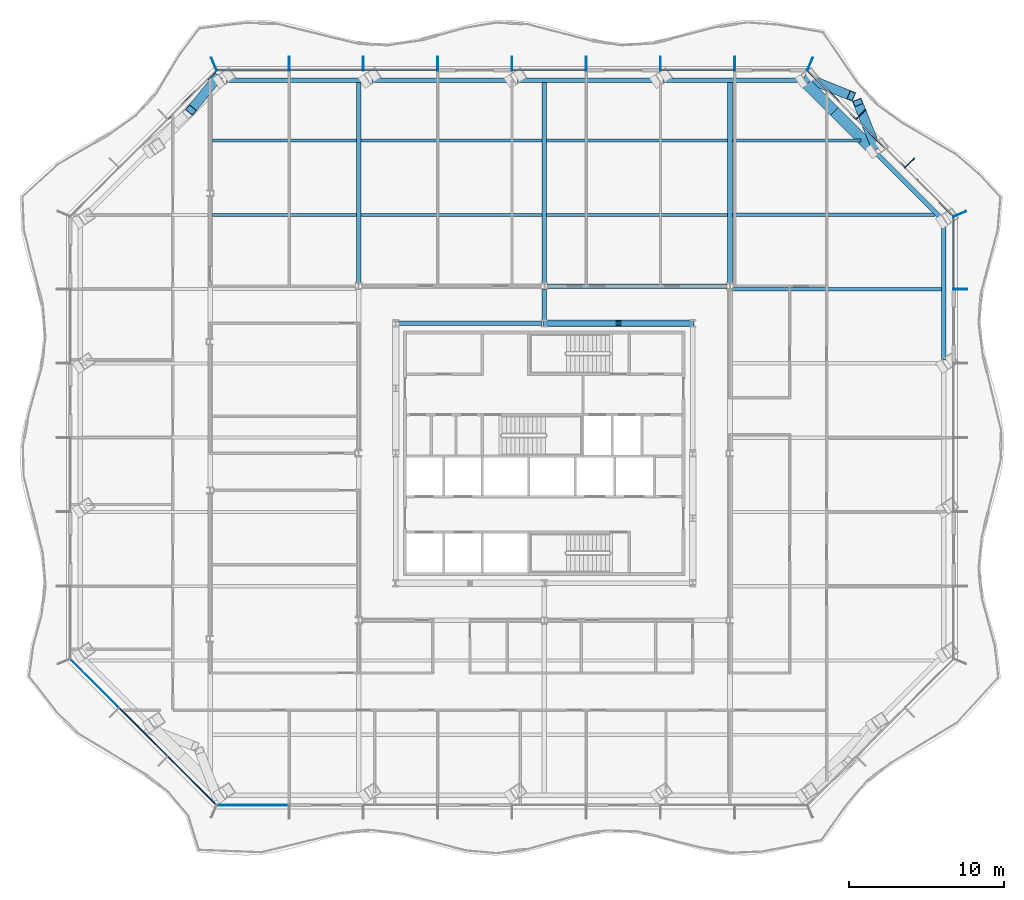
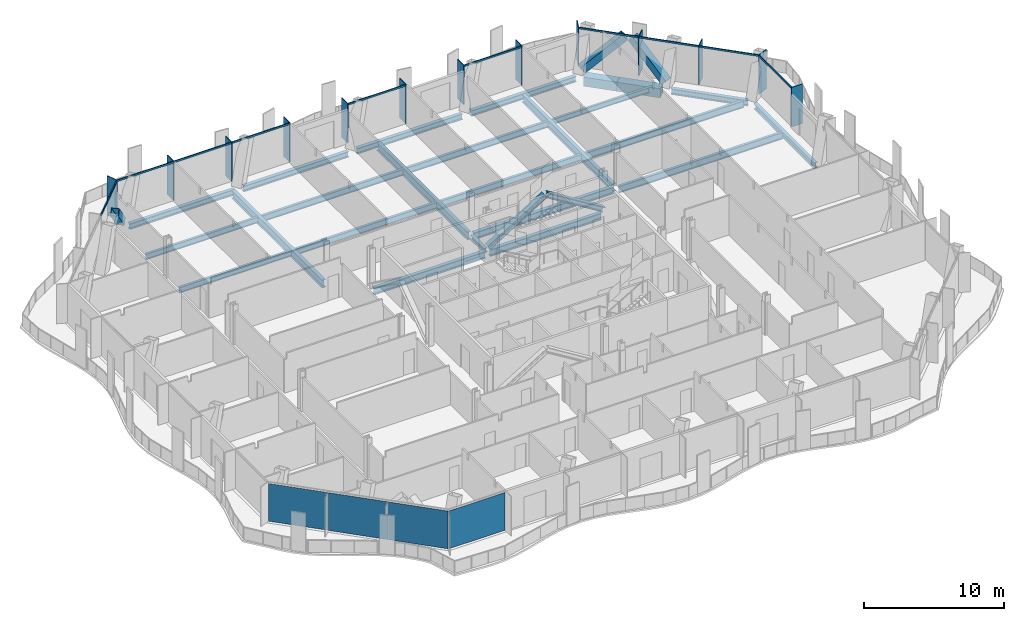
# One storey, part 5 of 22: 28 members, 24 beams, 4 plates, 6 elements without a shape of their own.
"""IFC4 building model written with IfcOpenShell, lengths in metres."""

from ifc_helpers import new_model, si_unit, direction, frame, origin, origin_2d, place, context, subcontext, project, spatial, rectangle, hollow_rectangle, i_section, extrude, material, layer, layer_set, material_profile, profile_set, type_object, element, aggregate, save


model = new_model("IFC4")

# Units and contexts
model_context = context("Model", 3, precision=1e-05, world=origin(), true_north=direction((0.0, 1.0)))
body_context = subcontext(model_context, "Body", "Model", "MODEL_VIEW")
ifc_project = project(units=[si_unit("LENGTHUNIT", "METRE"), si_unit("AREAUNIT", "SQUARE_METRE"), si_unit("VOLUMEUNIT", "CUBIC_METRE"), si_unit("PLANEANGLEUNIT", "RADIAN"), si_unit("MASSUNIT", "GRAM", prefix="KILO")], contexts=[model_context])

# Site, building, storey
site_placement = place(None, origin())
site = spatial("IfcSite", under=ifc_project, at=site_placement, CompositionType="ELEMENT")
building_placement = place(site_placement, origin())
building = spatial("IfcBuilding", under=site, at=building_placement, Name="Cairn Pilgrim Tower", CompositionType="ELEMENT")
storey_placement = place(building_placement, frame((0.0, 0.0, 105.0)))
storey = spatial("IfcBuildingStorey", under=building, at=storey_placement, Name="L25", CompositionType="ELEMENT", Elevation=105.0)

# Members
ifc_material_1 = material(Name="Structural steel S460M", Category="steel")
ifc_material_profile_1 = material_profile(ifc_material_1, hollow_rectangle(XDim=0.60009765625, YDim=0.60009765625, WallThickness=0.034912109375, at=origin_2d()), Name="BOX 600x600x35")
ifc_profile_set_1 = profile_set([ifc_material_profile_1], Name="Structural steel S460M")
member_type_1 = type_object("IfcMemberType", Name="BOX 600x600x35 BRACE", PredefinedType="BRACE", material=ifc_profile_set_1)
for number, where, z_axis, x_axis, name in (
    (1, (28.607421875, 22.21630859375, 0.14990234375), (-0.284086232129, 0.71042808338, 0.643884268374), (-0.928514994519, -0.371294902945, 0.0), "XB-NE2-N1-1"),
    (2, (24.18408203125, 26.639404296875, 0.14990234375), (0.71042808338, -0.284086232129, 0.643884268374), (0.371294902945, 0.928514994519, 0.0), "XB-NE2-N1-2"),
):
    element("IfcMember", number, at=place(storey_placement, frame(where, z_axis=z_axis, x_axis=x_axis)), inside=storey, type_object=member_type_1, Name=name, PredefinedType="BRACE", context=body_context, shape_type="SweptSolid", body=[
        extrude(hollow_rectangle(XDim=0.60009765625, YDim=0.60009765625, WallThickness=0.034912109375, at=origin_2d()), origin(), (0.0, 0.0, 1.0), 4.02099609375),
    ])
member_1_placement = place(storey_placement, frame((-13.958251953125, 26.639404296875, 0.14990234375), z_axis=(-0.450015797413, -0.551109145685, 0.702683777827), x_axis=(0.774571148388, -0.632486787281, 0.0)))
element("IfcMember", 3, at=member_1_placement, inside=storey, type_object=member_type_1, Name="XB-NW1-NW2-1", PredefinedType="BRACE", context=body_context, shape_type="SweptSolid", body=[
    extrude(hollow_rectangle(XDim=0.60009765625, YDim=0.60009765625, WallThickness=0.034912109375, at=origin_2d()), origin(), (0.0, 0.0, 1.0), 3.733642578125),
])

# Beams
ifc_material_2 = material(Name="Structural steel S355J2", Category="steel")
ifc_material_profile_2 = material_profile(ifc_material_2, hollow_rectangle(XDim=0.699951171875, YDim=0.800048828125, WallThickness=0.0400390625, at=origin_2d()), Name="BOX 700x800x40")
ifc_profile_set_2 = profile_set([ifc_material_profile_2], Name="Structural steel S355J2")
beam_type_1 = type_object("IfcBeamType", Name="BOX 700x800x40 RING GIRDER", PredefinedType="SPANDREL", material=ifc_profile_set_2)
beam_1_placement = place(storey_placement, frame((28.221923828125, 22.226806640625, -0.550048828125), z_axis=(-0.707068683787, 0.707144876533, 0.0), x_axis=(-0.707144876533, -0.707068683787, 0.0)))
element("IfcBeam", 4, at=beam_1_placement, inside=storey, type_object=beam_type_1, Name="RG1-NE2-N1-1", PredefinedType="SPANDREL", context=body_context, shape_type="SweptSolid", body=[
    extrude(hollow_rectangle(XDim=0.699951171875, YDim=0.800048828125, WallThickness=0.0400390625, at=origin_2d()), origin(), (0.0, 0.0, 1.0), 3.204345703125),
])
beam_2_placement = place(storey_placement, frame((25.956298828125, 24.49267578125, -0.550048828125), z_axis=(-0.707155778642, 0.707057780336, 0.0), x_axis=(-0.707057780336, -0.707155778642, 0.0)))
element("IfcBeam", 5, at=beam_2_placement, inside=storey, type_object=beam_type_1, Name="RG1-NE2-N1-2", PredefinedType="SPANDREL", context=body_context, shape_type="SweptSolid", body=[
    extrude(hollow_rectangle(XDim=0.699951171875, YDim=0.800048828125, WallThickness=0.0400390625, at=origin_2d()), origin(), (0.0, 0.0, 1.0), 2.4912109375),
])

# Curtain wall, member
ifc_material_3 = material(Name="Aluminium alloy 6063-T6 bronze anodised with Bronze tinted laminated low-E glass 8+16+8.8", Category="aluminium")
curtain_wall_type_1 = type_object("IfcCurtainWallType", Name="TOWER STICK CURTAIN WALL EW", PredefinedType="NOTDEFINED", material=ifc_material_3)
curtain_wall_1_placement = place(storey_placement, origin())
curtain_wall_1 = element("IfcCurtainWall", 6, at=curtain_wall_1_placement, inside=storey, type_object=curtain_wall_type_1, Name="Tower Stick Curtain Wall Ew E", PredefinedType="NOTDEFINED")
ifc_material_4 = material(Name="Aluminium alloy 6063-T6 bronze anodised", Category="aluminium")
ifc_material_profile_3 = material_profile(ifc_material_4, rectangle(XDim=0.89990234375, YDim=0.06005859375, at=origin_2d()), Name="FIN MULLION 60x900 BRONZE")
ifc_profile_set_3 = profile_set([ifc_material_profile_3], Name="Aluminium alloy 6063-T6 bronze anodised")
member_type_2 = type_object("IfcMemberType", Name="FIN MULLION 60x900 BRONZE", PredefinedType="MULLION", material=ifc_profile_set_3)
member_2_placement = place(storey_placement, frame((34.0830078125, 13.008544921875, 0.0), z_axis=(0.0, 0.0, 1.0), x_axis=(1.0, 0.0, 0.0)))
member_2 = element("IfcMember", 7, at=member_2_placement, type_object=member_type_2, Name="Fin mullion E6", PredefinedType="MULLION", context=body_context, shape_type="SweptSolid", body=[
    extrude(rectangle(XDim=0.89990234375, YDim=0.06005859375, at=origin_2d()), origin(), (0.0, 0.0, 1.0), 3.449951171875),
])

# Curtain wall, members
curtain_wall_type_2 = type_object("IfcCurtainWallType", Name="CHAMFER CORNER CURTAIN WALL", PredefinedType="NOTDEFINED", material=ifc_material_3)
curtain_wall_2_placement = place(storey_placement, origin())
curtain_wall_2 = element("IfcCurtainWall", 8, at=curtain_wall_2_placement, inside=storey, type_object=curtain_wall_type_2, Name="Chamfer Corner Curtain Wall NE", PredefinedType="NOTDEFINED")
member_3_placement = place(storey_placement, frame((34.051025390625, 17.86572265625, 0.0), z_axis=(0.0, 0.0, 1.0), x_axis=(0.923879532511, 0.382683432365, 0.0)))
member_3 = element("IfcMember", 9, at=member_3_placement, type_object=member_type_2, Name="Fin mullion NE1", PredefinedType="MULLION", context=body_context, shape_type="SweptSolid", body=[
    extrude(rectangle(XDim=0.89990234375, YDim=0.06005859375, at=origin_2d()), origin(), (0.0, 0.0, 1.0), 3.449951171875),
])
member_4_placement = place(storey_placement, frame((30.808837890625, 21.1533203125, 0.0), z_axis=(0.0, 0.0, 1.0), x_axis=(0.707106781187, 0.707106781187, 0.0)))
member_4 = element("IfcMember", 10, at=member_4_placement, type_object=member_type_2, Name="Fin mullion NE2", PredefinedType="MULLION", context=body_context, shape_type="SweptSolid", body=[
    extrude(rectangle(XDim=0.89990234375, YDim=0.06005859375, at=origin_2d()), origin(), (0.0, 0.0, 1.0), 3.449951171875),
])
member_5_placement = place(storey_placement, frame((27.657470703125, 24.304443359375, 0.0), z_axis=(0.0, 0.0, 1.0), x_axis=(0.707106781187, 0.707106781187, 0.0)))
member_5 = element("IfcMember", 11, at=member_5_placement, type_object=member_type_2, Name="Fin mullion NE3", PredefinedType="MULLION", context=body_context, shape_type="SweptSolid", body=[
    extrude(rectangle(XDim=0.89990234375, YDim=0.06005859375, at=origin_2d()), origin(), (0.0, 0.0, 1.0), 3.449951171875),
])

curtain_wall_type_3 = type_object("IfcCurtainWallType", Name="TOWER STICK CURTAIN WALL NS", PredefinedType="NOTDEFINED", material=ifc_material_3)
curtain_wall_3_placement = place(storey_placement, origin())
curtain_wall_3 = element("IfcCurtainWall", 12, at=curtain_wall_3_placement, inside=storey, type_object=curtain_wall_type_3, Name="Tower Stick Curtain Wall Ns N", PredefinedType="NOTDEFINED")
member_6_placement = place(storey_placement, frame((24.3701171875, 27.546630859375, 0.0), z_axis=(0.0, 0.0, 1.0), x_axis=(0.382683432365, 0.923879532511, 0.0)))
member_6 = element("IfcMember", 13, at=member_6_placement, type_object=member_type_2, Name="Fin mullion N1", PredefinedType="MULLION", context=body_context, shape_type="SweptSolid", body=[
    extrude(rectangle(XDim=0.89990234375, YDim=0.06005859375, at=origin_2d()), origin(), (0.0, 0.0, 1.0), 3.449951171875),
])
member_7_placement = place(storey_placement, frame((19.512939453125, 27.57861328125, 0.0), z_axis=(0.0, 0.0, 1.0), x_axis=(0.0, 1.0, 0.0)))
member_7 = element("IfcMember", 14, at=member_7_placement, type_object=member_type_2, Name="Fin mullion N2", PredefinedType="MULLION", context=body_context, shape_type="SweptSolid", body=[
    extrude(rectangle(XDim=0.89990234375, YDim=0.06005859375, at=origin_2d()), origin(), (0.0, 0.0, 1.0), 3.449951171875),
])
member_8_placement = place(storey_placement, frame((14.712890625, 27.57861328125, 0.0), z_axis=(0.0, 0.0, 1.0), x_axis=(0.0, 1.0, 0.0)))
member_8 = element("IfcMember", 15, at=member_8_placement, type_object=member_type_2, Name="Fin mullion N3", PredefinedType="MULLION", context=body_context, shape_type="SweptSolid", body=[
    extrude(rectangle(XDim=0.89990234375, YDim=0.06005859375, at=origin_2d()), origin(), (0.0, 0.0, 1.0), 3.449951171875),
])
member_9_placement = place(storey_placement, frame((9.912841796875, 27.57861328125, 0.0), z_axis=(0.0, 0.0, 1.0), x_axis=(0.0, 1.0, 0.0)))
member_9 = element("IfcMember", 16, at=member_9_placement, type_object=member_type_2, Name="Fin mullion N4", PredefinedType="MULLION", context=body_context, shape_type="SweptSolid", body=[
    extrude(rectangle(XDim=0.89990234375, YDim=0.06005859375, at=origin_2d()), origin(), (0.0, 0.0, 1.0), 3.449951171875),
])
member_10_placement = place(storey_placement, frame((5.113037109375, 27.57861328125, 0.0), z_axis=(0.0, 0.0, 1.0), x_axis=(0.0, 1.0, 0.0)))
member_10 = element("IfcMember", 17, at=member_10_placement, type_object=member_type_2, Name="Fin mullion N5", PredefinedType="MULLION", context=body_context, shape_type="SweptSolid", body=[
    extrude(rectangle(XDim=0.89990234375, YDim=0.06005859375, at=origin_2d()), origin(), (0.0, 0.0, 1.0), 3.449951171875),
])
member_11_placement = place(storey_placement, frame((0.31298828125, 27.57861328125, 0.0), z_axis=(0.0, 0.0, 1.0), x_axis=(0.0, 1.0, 0.0)))
member_11 = element("IfcMember", 18, at=member_11_placement, type_object=member_type_2, Name="Fin mullion N6", PredefinedType="MULLION", context=body_context, shape_type="SweptSolid", body=[
    extrude(rectangle(XDim=0.89990234375, YDim=0.06005859375, at=origin_2d()), origin(), (0.0, 0.0, 1.0), 3.449951171875),
])
member_12_placement = place(storey_placement, frame((-4.487060546875, 27.57861328125, 0.0), z_axis=(0.0, 0.0, 1.0), x_axis=(0.0, 1.0, 0.0)))
member_12 = element("IfcMember", 19, at=member_12_placement, type_object=member_type_2, Name="Fin mullion N7", PredefinedType="MULLION", context=body_context, shape_type="SweptSolid", body=[
    extrude(rectangle(XDim=0.89990234375, YDim=0.06005859375, at=origin_2d()), origin(), (0.0, 0.0, 1.0), 3.449951171875),
])
member_13_placement = place(storey_placement, frame((-9.287109375, 27.57861328125, 0.0), z_axis=(0.0, 0.0, 1.0), x_axis=(0.0, 1.0, 0.0)))
member_13 = element("IfcMember", 20, at=member_13_placement, type_object=member_type_2, Name="Fin mullion N8", PredefinedType="MULLION", context=body_context, shape_type="SweptSolid", body=[
    extrude(rectangle(XDim=0.89990234375, YDim=0.06005859375, at=origin_2d()), origin(), (0.0, 0.0, 1.0), 3.449951171875),
])

# Curtain wall, member
curtain_wall_4_placement = place(storey_placement, origin())
curtain_wall_4 = element("IfcCurtainWall", 21, at=curtain_wall_4_placement, inside=storey, type_object=curtain_wall_type_2, Name="Chamfer Corner Curtain Wall NW", PredefinedType="NOTDEFINED")
member_14_placement = place(storey_placement, frame((-14.144287109375, 27.546630859375, 0.0), z_axis=(0.0, 0.0, 1.0), x_axis=(-0.382683432365, 0.923879532511, 0.0)))
member_14 = element("IfcMember", 22, at=member_14_placement, type_object=member_type_2, Name="Fin mullion NW1", PredefinedType="MULLION", context=body_context, shape_type="SweptSolid", body=[
    extrude(rectangle(XDim=0.89990234375, YDim=0.06005859375, at=origin_2d()), origin(), (0.0, 0.0, 1.0), 3.449951171875),
])

# Members
ifc_material_profile_4 = material_profile(ifc_material_1, i_section(OverallWidth=0.408935546875, OverallDepth=0.425048828125, WebThickness=0.03271484375, FlangeThickness=0.052490234375, FilletRadius=0.014892578125, at=origin_2d()), Name="HD 400x421")
ifc_profile_set_4 = profile_set([ifc_material_profile_4], Name="Structural steel S460M")
member_type_3 = type_object("IfcMemberType", Name="HD 400x421 BRACE", PredefinedType="BRACE", material=ifc_profile_set_4)
for number, where, z_axis, x_axis, name in (
    (23, (16.757568359375, 10.800048828125, 0.10009765625), (-0.85108304523, 0.0, 0.525031094434), (0.0, -1.0, 0.0), "KB-3A"),
    (24, (7.242431640625, 10.800048828125, 0.10009765625), (0.85108304523, 0.0, 0.525031094434), (0.0, 1.0, 0.0), "KB-3B"),
):
    element("IfcMember", number, at=place(storey_placement, frame(where, z_axis=z_axis, x_axis=x_axis)), inside=storey, type_object=member_type_3, Name=name, PredefinedType="BRACE", context=body_context, shape_type="SweptSolid", body=[
        extrude(i_section(OverallWidth=0.408935546875, OverallDepth=0.425048828125, WebThickness=0.03271484375, FlangeThickness=0.052490234375, FilletRadius=0.014892578125, at=origin_2d()), origin(), (0.0, 0.0, 1.0), 5.527587890625),
    ])

# Beams
ifc_material_profile_5 = material_profile(ifc_material_2, i_section(OverallWidth=0.300048828125, OverallDepth=0.39990234375, WebThickness=0.013427734375, FlangeThickness=0.02392578125, FilletRadius=0.027099609375, at=origin_2d()), Name="HEB 400")
ifc_profile_set_5 = profile_set([ifc_material_profile_5], Name="Structural steel S355J2")
beam_type_2 = type_object("IfcBeamType", Name="HEB 400 GIRDER", PredefinedType="BEAM", material=ifc_profile_set_5)
beam_3_placement = place(storey_placement, frame((7.199951171875, 11.011962890625, -0.35009765625), z_axis=(0.0, 1.0, 0.0), x_axis=(-1.0, 0.0, 0.0)))
element("IfcBeam", 25, at=beam_3_placement, inside=storey, type_object=beam_type_2, Name="PG3-E2", PredefinedType="BEAM", context=body_context, shape_type="SweptSolid", body=[
    extrude(i_section(OverallWidth=0.300048828125, OverallDepth=0.39990234375, WebThickness=0.013427734375, FlangeThickness=0.02392578125, FilletRadius=0.027099609375, at=origin_2d()), origin(), (0.0, 0.0, 1.0), 1.983642578125),
])
ifc_material_profile_6 = material_profile(ifc_material_2, i_section(OverallWidth=0.300048828125, OverallDepth=0.5, WebThickness=0.014404296875, FlangeThickness=0.028076171875, FilletRadius=0.027099609375, at=origin_2d()), Name="HEB 500")
ifc_profile_set_6 = profile_set([ifc_material_profile_6], Name="Structural steel S355J2")
beam_type_3 = type_object("IfcBeamType", Name="HEB 500 RING GIRDER", PredefinedType="SPANDREL", material=ifc_profile_set_6)
beam_4_placement = place(storey_placement, frame((33.012939453125, 8.4443359375, -0.39990234375), z_axis=(0.0, 1.0, 0.0), x_axis=(-1.0, 0.0, 0.0)))
element("IfcBeam", 26, at=beam_4_placement, inside=storey, type_object=beam_type_3, Name="RG1-E3-NE1", PredefinedType="SPANDREL", context=body_context, shape_type="SweptSolid", body=[
    extrude(i_section(OverallWidth=0.300048828125, OverallDepth=0.5, WebThickness=0.014404296875, FlangeThickness=0.028076171875, FilletRadius=0.027099609375, at=origin_2d()), origin(), (0.0, 0.0, 1.0), 8.63134765625),
])
beam_5_placement = place(storey_placement, frame((32.75830078125, 17.6904296875, -0.39990234375), z_axis=(-0.707085347538, 0.707128214185, 0.0), x_axis=(-0.707128214185, -0.707085347538, 0.0)))
element("IfcBeam", 27, at=beam_5_placement, inside=storey, type_object=beam_type_3, Name="RG1-NE1-NE2", PredefinedType="SPANDREL", context=body_context, shape_type="SweptSolid", body=[
    extrude(i_section(OverallWidth=0.300048828125, OverallDepth=0.5, WebThickness=0.014404296875, FlangeThickness=0.028076171875, FilletRadius=0.027099609375, at=origin_2d()), origin(), (0.0, 0.0, 1.0), 5.6953125),
])
for number, where, z_axis, x_axis, name in (
    (28, (23.580078125, 26.508544921875, -0.39990234375), (-1.0, 0.0, 0.0), (0.0, -1.0, 0.0), "RG1-N1-N2"),
    (29, (14.16650390625, 26.508544921875, -0.39990234375), (-1.0, 0.0, 0.0), (0.0, -1.0, 0.0), "RG1-N2-N3"),
    (30, (4.7529296875, 26.508544921875, -0.39990234375), (-1.0, 0.0, 0.0), (0.0, -1.0, 0.0), "RG1-N3-N4"),
    (31, (-4.66064453125, 26.508544921875, -0.39990234375), (-1.0, 0.0, 0.0), (0.0, -1.0, 0.0), "RG1-N4-NW1"),
):
    element("IfcBeam", number, at=place(storey_placement, frame(where, z_axis=z_axis, x_axis=x_axis)), inside=storey, type_object=beam_type_3, Name=name, PredefinedType="SPANDREL", context=body_context, shape_type="SweptSolid", body=[
        extrude(i_section(OverallWidth=0.300048828125, OverallDepth=0.5, WebThickness=0.014404296875, FlangeThickness=0.028076171875, FilletRadius=0.027099609375, at=origin_2d()), origin(), (0.0, 0.0, 1.0), 8.693603515625),
    ])
ifc_material_profile_7 = material_profile(ifc_material_2, i_section(OverallWidth=0.300048828125, OverallDepth=0.60009765625, WebThickness=0.015380859375, FlangeThickness=0.030029296875, FilletRadius=0.027099609375, at=origin_2d()), Name="HEB 600")
ifc_profile_set_7 = profile_set([ifc_material_profile_7], Name="Structural steel S355J2")
beam_type_4 = type_object("IfcBeamType", Name="HEB 600 CORE BEAM", PredefinedType="BEAM", material=ifc_profile_set_7)
beam_6_placement = place(storey_placement, frame((16.609130859375, 10.800048828125, -0.449951171875), z_axis=(-1.0, 0.0, 0.0), x_axis=(0.0, -1.0, 0.0)))
element("IfcBeam", 32, at=beam_6_placement, inside=storey, type_object=beam_type_4, Name="CB-5", PredefinedType="BEAM", context=body_context, shape_type="SweptSolid", body=[
    extrude(i_section(OverallWidth=0.300048828125, OverallDepth=0.60009765625, WebThickness=0.015380859375, FlangeThickness=0.030029296875, FilletRadius=0.027099609375, at=origin_2d()), origin(), (0.0, 0.0, 1.0), 9.21826171875),
])
beam_7_placement = place(storey_placement, frame((7.00927734375, 10.800048828125, -0.449951171875), z_axis=(-1.0, 0.0, 0.0), x_axis=(0.0, -1.0, 0.0)))
element("IfcBeam", 33, at=beam_7_placement, inside=storey, type_object=beam_type_4, Name="CB-6", PredefinedType="BEAM", context=body_context, shape_type="SweptSolid", body=[
    extrude(i_section(OverallWidth=0.300048828125, OverallDepth=0.60009765625, WebThickness=0.015380859375, FlangeThickness=0.030029296875, FilletRadius=0.027099609375, at=origin_2d()), origin(), (0.0, 0.0, 1.0), 9.218505859375),
])
ifc_material_profile_8 = material_profile(ifc_material_2, i_section(OverallWidth=0.300048828125, OverallDepth=0.60009765625, WebThickness=0.015380859375, FlangeThickness=0.030029296875, FilletRadius=0.027099609375, at=origin_2d()), Name="HEB 600")
ifc_profile_set_8 = profile_set([ifc_material_profile_8], Name="Structural steel S355J2")
beam_type_5 = type_object("IfcBeamType", Name="HEB 600 INNER GIRDER", PredefinedType="BEAM", material=ifc_profile_set_8)
beam_8_placement = place(storey_placement, frame((7.404541015625, 13.199951171875, -0.449951171875), z_axis=(1.0, 0.0, 0.0), x_axis=(0.0, 1.0, 0.0)))
element("IfcBeam", 34, at=beam_8_placement, inside=storey, type_object=beam_type_5, Name="IG2-2", PredefinedType="BEAM", context=body_context, shape_type="SweptSolid", body=[
    extrude(i_section(OverallWidth=0.300048828125, OverallDepth=0.60009765625, WebThickness=0.015380859375, FlangeThickness=0.030029296875, FilletRadius=0.027099609375, at=origin_2d()), origin(), (0.0, 0.0, 1.0), 11.591064453125),
])
ifc_material_profile_9 = material_profile(ifc_material_2, i_section(OverallWidth=0.300048828125, OverallDepth=0.699951171875, WebThickness=0.01708984375, FlangeThickness=0.031982421875, FilletRadius=0.027099609375, at=origin_2d()), Name="HEB 700")
ifc_profile_set_9 = profile_set([ifc_material_profile_9], Name="Structural steel S355J2")
beam_type_6 = type_object("IfcBeamType", Name="HEB 700 GIRDER", PredefinedType="BEAM", material=ifc_profile_set_9)
for number, where, z_axis, x_axis, name in (
    (35, (-4.800048828125, 13.404541015625, -0.5), (0.0, 1.0, 0.0), (-1.0, 0.0, 0.0), "PG2-4"),
    (36, (7.199951171875, 13.404541015625, -0.5), (0.0, 1.0, 0.0), (-1.0, 0.0, 0.0), "PG3-2"),
    (37, (19.199951171875, 13.404541015625, -0.5), (0.0, 1.0, 0.0), (-1.0, 0.0, 0.0), "PG4-4"),
):
    element("IfcBeam", number, at=place(storey_placement, frame(where, z_axis=z_axis, x_axis=x_axis)), inside=storey, type_object=beam_type_6, Name=name, PredefinedType="BEAM", context=body_context, shape_type="SweptSolid", body=[
        extrude(i_section(OverallWidth=0.300048828125, OverallDepth=0.699951171875, WebThickness=0.01708984375, FlangeThickness=0.031982421875, FilletRadius=0.027099609375, at=origin_2d()), origin(), (0.0, 0.0, 1.0), 12.984130859375),
    ])
ifc_material_profile_10 = material_profile(ifc_material_2, i_section(OverallWidth=0.18994140625, OverallDepth=0.449951171875, WebThickness=0.009521484375, FlangeThickness=0.0146484375, FilletRadius=0.02099609375, at=origin_2d()), Name="IPE 450")
ifc_profile_set_10 = profile_set([ifc_material_profile_10], Name="Structural steel S355J2")
beam_type_7 = type_object("IfcBeamType", Name="IPE 450 SECONDARY BEAM", PredefinedType="JOIST", material=ifc_profile_set_10)
beam_9_placement = place(storey_placement, frame((19.35009765625, 22.608642578125, -0.375), z_axis=(1.0, 0.0, 0.0), x_axis=(0.0, 1.0, 0.0)))
element("IfcBeam", 38, at=beam_9_placement, inside=storey, type_object=beam_type_7, Name="SB9-4", PredefinedType="JOIST", context=body_context, shape_type="SweptSolid", body=[
    extrude(i_section(OverallWidth=0.18994140625, OverallDepth=0.449951171875, WebThickness=0.009521484375, FlangeThickness=0.0146484375, FilletRadius=0.02099609375, at=origin_2d()), origin(), (0.0, 0.0, 1.0), 8.307861328125),
])
ifc_material_profile_11 = material_profile(ifc_material_2, i_section(OverallWidth=0.199951171875, OverallDepth=0.5, WebThickness=0.01025390625, FlangeThickness=0.01611328125, FilletRadius=0.02099609375, at=origin_2d()), Name="IPE 500")
ifc_profile_set_11 = profile_set([ifc_material_profile_11], Name="Structural steel S355J2")
beam_type_8 = type_object("IfcBeamType", Name="IPE 500 SECONDARY BEAM", PredefinedType="JOIST", material=ifc_profile_set_11)
for number, where, z_axis, x_axis, name in (
    (39, (-14.25, 17.80859375, -0.39990234375), (1.0, 0.0, 0.0), (0.0, 1.0, 0.0), "SB8-2"),
    (40, (-14.25, 22.608642578125, -0.39990234375), (1.0, 0.0, 0.0), (0.0, 1.0, 0.0), "SB9-1"),
):
    element("IfcBeam", number, at=place(storey_placement, frame(where, z_axis=z_axis, x_axis=x_axis)), inside=storey, type_object=beam_type_8, Name=name, PredefinedType="JOIST", context=body_context, shape_type="SweptSolid", body=[
        extrude(i_section(OverallWidth=0.199951171875, OverallDepth=0.5, WebThickness=0.01025390625, FlangeThickness=0.01611328125, FilletRadius=0.02099609375, at=origin_2d()), origin(), (0.0, 0.0, 1.0), 9.300048828125),
    ])
ifc_material_profile_12 = material_profile(ifc_material_2, i_section(OverallWidth=0.2099609375, OverallDepth=0.550048828125, WebThickness=0.010986328125, FlangeThickness=0.01708984375, FilletRadius=0.02392578125, at=origin_2d()), Name="IPE 550")
ifc_profile_set_12 = profile_set([ifc_material_profile_12], Name="Structural steel S355J2")
beam_type_9 = type_object("IfcBeamType", Name="IPE 550 SECONDARY BEAM", PredefinedType="JOIST", material=ifc_profile_set_12)
for number, where, z_axis, x_axis, name in (
    (41, (-4.64990234375, 17.80859375, -0.425048828125), (1.0, 0.0, 0.0), (0.0, 1.0, 0.0), "SB8-3"),
    (42, (7.35009765625, 17.80859375, -0.425048828125), (1.0, 0.0, 0.0), (0.0, 1.0, 0.0), "SB8-4"),
    (43, (-4.64990234375, 22.608642578125, -0.425048828125), (1.0, 0.0, 0.0), (0.0, 1.0, 0.0), "SB9-2"),
    (44, (7.35009765625, 22.608642578125, -0.425048828125), (1.0, 0.0, 0.0), (0.0, 1.0, 0.0), "SB9-3"),
):
    element("IfcBeam", number, at=place(storey_placement, frame(where, z_axis=z_axis, x_axis=x_axis)), inside=storey, type_object=beam_type_9, Name=name, PredefinedType="JOIST", context=body_context, shape_type="SweptSolid", body=[
        extrude(i_section(OverallWidth=0.2099609375, OverallDepth=0.550048828125, WebThickness=0.010986328125, FlangeThickness=0.01708984375, FilletRadius=0.02392578125, at=origin_2d()), origin(), (0.0, 0.0, 1.0), 11.699951171875),
    ])
ifc_material_profile_13 = material_profile(ifc_material_2, i_section(OverallWidth=0.219970703125, OverallDepth=0.60009765625, WebThickness=0.011962890625, FlangeThickness=0.01904296875, FilletRadius=0.02392578125, at=origin_2d()), Name="IPE 600")
ifc_profile_set_13 = profile_set([ifc_material_profile_13], Name="Structural steel S355J2")
beam_type_10 = type_object("IfcBeamType", Name="IPE 600 SECONDARY BEAM", PredefinedType="JOIST", material=ifc_profile_set_13)
beam_10_placement = place(storey_placement, frame((19.35009765625, 13.008544921875, -0.449951171875), z_axis=(1.0, 0.0, 0.0), x_axis=(0.0, 1.0, 0.0)))
element("IfcBeam", 45, at=beam_10_placement, inside=storey, type_object=beam_type_10, Name="SB7-3", PredefinedType="JOIST", context=body_context, shape_type="SweptSolid", body=[
    extrude(i_section(OverallWidth=0.219970703125, OverallDepth=0.60009765625, WebThickness=0.011962890625, FlangeThickness=0.01904296875, FilletRadius=0.02392578125, at=origin_2d()), origin(), (0.0, 0.0, 1.0), 13.542724609375),
])
beam_11_placement = place(storey_placement, frame((19.35009765625, 17.80859375, -0.449951171875), z_axis=(1.0, 0.0, 0.0), x_axis=(0.0, 1.0, 0.0)))
element("IfcBeam", 46, at=beam_11_placement, inside=storey, type_object=beam_type_10, Name="SB8-5", PredefinedType="JOIST", context=body_context, shape_type="SweptSolid", body=[
    extrude(i_section(OverallWidth=0.219970703125, OverallDepth=0.60009765625, WebThickness=0.011962890625, FlangeThickness=0.01904296875, FilletRadius=0.02392578125, at=origin_2d()), origin(), (0.0, 0.0, 1.0), 13.10791015625),
])

# Member
ifc_material_profile_14 = material_profile(ifc_material_4, rectangle(XDim=0.080078125, YDim=0.14990234375, at=origin_2d()), Name="TRANSOM 80x150 BRONZE")
ifc_profile_set_14 = profile_set([ifc_material_profile_14], Name="Aluminium alloy 6063-T6 bronze anodised")
member_type_4 = type_object("IfcMemberType", Name="TRANSOM 80x150 BRONZE", PredefinedType="USERDEFINED", material=ifc_profile_set_14)
member_15_placement = place(storey_placement, frame((33.662841796875, 13.03857421875, 3.375), z_axis=(0.0, 1.0, 0.0), x_axis=(-1.0, 0.0, 0.0)))
member_15 = element("IfcMember", 47, at=member_15_placement, type_object=member_type_4, Name="Transom E6", ObjectType="TRANSOM", PredefinedType="USERDEFINED", context=body_context, shape_type="SweptSolid", body=[
    extrude(rectangle(XDim=0.080078125, YDim=0.14990234375, at=origin_2d()), origin(), (0.0, 0.0, 1.0), 4.62646484375),
])

aggregate(curtain_wall_1, [member_2, member_15])

member_16_placement = place(storey_placement, frame((33.634765625, 17.7333984375, 3.375), z_axis=(-0.707134609628, 0.70707895165, 0.0), x_axis=(-0.70707895165, -0.707134609628, 0.0)))
member_16 = element("IfcMember", 48, at=member_16_placement, type_object=member_type_4, Name="Transom NE1", ObjectType="TRANSOM", PredefinedType="USERDEFINED", context=body_context, shape_type="SweptSolid", body=[
    extrude(rectangle(XDim=0.080078125, YDim=0.14990234375, at=origin_2d()), origin(), (0.0, 0.0, 1.0), 4.386474609375),
])

member_17_placement = place(storey_placement, frame((30.490478515625, 20.87744140625, 3.375), z_axis=(-0.707079015032, 0.707134546251, 0.0), x_axis=(-0.707134546251, -0.707079015032, 0.0)))
member_17 = element("IfcMember", 49, at=member_17_placement, type_object=member_type_4, Name="Transom NE2", ObjectType="TRANSOM", PredefinedType="USERDEFINED", context=body_context, shape_type="SweptSolid", body=[
    extrude(rectangle(XDim=0.080078125, YDim=0.14990234375, at=origin_2d()), origin(), (0.0, 0.0, 1.0), 4.396484375),
])

member_18_placement = place(storey_placement, frame((27.33935546875, 24.028564453125, 3.375), z_axis=(-0.707106781187, 0.707106781187, 0.0), x_axis=(-0.707106781187, -0.707106781187, 0.0)))
member_18 = element("IfcMember", 50, at=member_18_placement, type_object=member_type_4, Name="Transom NE3", ObjectType="TRANSOM", PredefinedType="USERDEFINED", context=body_context, shape_type="SweptSolid", body=[
    extrude(rectangle(XDim=0.080078125, YDim=0.14990234375, at=origin_2d()), origin(), (0.0, 0.0, 1.0), 4.38671875),
])

aggregate(curtain_wall_2, [member_3, member_4, member_5, member_16, member_17, member_18])

member_19_placement = place(storey_placement, frame((19.48291015625, 27.15869140625, 3.375), z_axis=(-1.0, 0.0, 0.0), x_axis=(0.0, -1.0, 0.0)))
member_19 = element("IfcMember", 51, at=member_19_placement, type_object=member_type_4, Name="Transom N2", ObjectType="TRANSOM", PredefinedType="USERDEFINED", context=body_context, shape_type="SweptSolid", body=[
    extrude(rectangle(XDim=0.080078125, YDim=0.14990234375, at=origin_2d()), origin(), (0.0, 0.0, 1.0), 4.739990234375),
])

member_20_placement = place(storey_placement, frame((9.8828125, 27.15869140625, 3.375), z_axis=(-1.0, 0.0, 0.0), x_axis=(0.0, -1.0, 0.0)))
member_20 = element("IfcMember", 52, at=member_20_placement, type_object=member_type_4, Name="Transom N4", ObjectType="TRANSOM", PredefinedType="USERDEFINED", context=body_context, shape_type="SweptSolid", body=[
    extrude(rectangle(XDim=0.080078125, YDim=0.14990234375, at=origin_2d()), origin(), (0.0, 0.0, 1.0), 4.739990234375),
])

member_21_placement = place(storey_placement, frame((0.282958984375, 27.15869140625, 3.375), z_axis=(-1.0, 0.0, 0.0), x_axis=(0.0, -1.0, 0.0)))
member_21 = element("IfcMember", 53, at=member_21_placement, type_object=member_type_4, Name="Transom N6", ObjectType="TRANSOM", PredefinedType="USERDEFINED", context=body_context, shape_type="SweptSolid", body=[
    extrude(rectangle(XDim=0.080078125, YDim=0.14990234375, at=origin_2d()), origin(), (0.0, 0.0, 1.0), 4.739990234375),
])

member_22_placement = place(storey_placement, frame((-4.51708984375, 27.15869140625, 3.375), z_axis=(-1.0, 0.0, 0.0), x_axis=(0.0, -1.0, 0.0)))
member_22 = element("IfcMember", 54, at=member_22_placement, type_object=member_type_4, Name="Transom N7", ObjectType="TRANSOM", PredefinedType="USERDEFINED", context=body_context, shape_type="SweptSolid", body=[
    extrude(rectangle(XDim=0.080078125, YDim=0.14990234375, at=origin_2d()), origin(), (0.0, 0.0, 1.0), 4.739990234375),
])

member_23_placement = place(storey_placement, frame((-9.317138671875, 27.15869140625, 3.375), z_axis=(-1.0, 0.0, 0.0), x_axis=(0.0, -1.0, 0.0)))
member_23 = element("IfcMember", 55, at=member_23_placement, type_object=member_type_4, Name="Transom N8", ObjectType="TRANSOM", PredefinedType="USERDEFINED", context=body_context, shape_type="SweptSolid", body=[
    extrude(rectangle(XDim=0.080078125, YDim=0.14990234375, at=origin_2d()), origin(), (0.0, 0.0, 1.0), 4.62646484375),
])

aggregate(curtain_wall_3, [member_6, member_7, member_8, member_9, member_10, member_11, member_12, member_13, member_19, member_20, member_21, member_22, member_23])

member_24_placement = place(storey_placement, frame((-14.01171875, 27.13037109375, 3.375), z_axis=(-0.707106781187, -0.707106781187, 0.0), x_axis=(0.707106781187, -0.707106781187, 0.0)))
member_24 = element("IfcMember", 56, at=member_24_placement, type_object=member_type_4, Name="Transom NW1", ObjectType="TRANSOM", PredefinedType="USERDEFINED", context=body_context, shape_type="SweptSolid", body=[
    extrude(rectangle(XDim=0.080078125, YDim=0.14990234375, at=origin_2d()), origin(), (0.0, 0.0, 1.0), 4.38671875),
])

aggregate(curtain_wall_4, [member_14, member_24])

# Curtain wall, plates
curtain_wall_5_placement = place(storey_placement, origin())
curtain_wall_5 = element("IfcCurtainWall", 57, at=curtain_wall_5_placement, inside=storey, type_object=curtain_wall_type_2, Name="Chamfer Corner Curtain Wall SW", PredefinedType="NOTDEFINED")
ifc_material_5 = material(Name="Bronze anodised aluminium spandrel panel with mineral wool insulation", Category="aluminium")
ifc_layer_1 = layer(ifc_material_5, 0.06005859375)
ifc_layer_set_1 = layer_set([ifc_layer_1], Name="SPANDREL PANEL 4386x3300")
plate_type_1 = type_object("IfcPlateType", Name="SPANDREL PANEL 4386x3300", PredefinedType="CURTAIN_PANEL", material=ifc_layer_set_1)
plate_1_placement = place(storey_placement, frame((-15.562744140625, -18.76220703125, 0.0), z_axis=(0.0, 0.0, 1.0), x_axis=(0.707106781187, -0.707106781187, 0.0)))
plate_1 = element("IfcPlate", 58, at=plate_1_placement, type_object=plate_type_1, Name="Spandrel Panel SW3-1", PredefinedType="CURTAIN_PANEL", context=body_context, shape_type="SweptSolid", body=[
    extrude(rectangle(XDim=4.386474609375, YDim=0.06005859375, at=origin_2d()), origin(), (0.0, 0.0, 1.0), 3.300048828125),
])
ifc_layer_2 = layer(ifc_material_5, 0.06005859375)
ifc_layer_set_2 = layer_set([ifc_layer_2], Name="SPANDREL PANEL 4396x3300")
plate_type_2 = type_object("IfcPlateType", Name="SPANDREL PANEL 4396x3300", PredefinedType="CURTAIN_PANEL", material=ifc_layer_set_2)
plate_2_placement = place(storey_placement, frame((-18.710205078125, -15.614501953125, 0.0), z_axis=(0.0, 0.0, 1.0), x_axis=(0.707106781187, -0.707106781187, 0.0)))
plate_2 = element("IfcPlate", 59, at=plate_2_placement, type_object=plate_type_2, Name="Spandrel Panel SW2-1", PredefinedType="CURTAIN_PANEL", context=body_context, shape_type="SweptSolid", body=[
    extrude(rectangle(XDim=4.396484375, YDim=0.06005859375, at=origin_2d()), origin(), (0.0, 0.0, 1.0), 3.300048828125),
])

# Curtain wall, plate
curtain_wall_6_placement = place(storey_placement, origin())
curtain_wall_6 = element("IfcCurtainWall", 60, at=curtain_wall_6_placement, inside=storey, type_object=curtain_wall_type_3, Name="Tower Stick Curtain Wall Ns S", PredefinedType="NOTDEFINED")
ifc_layer_3 = layer(ifc_material_5, 0.06005859375)
ifc_layer_set_3 = layer_set([ifc_layer_3], Name="SPANDREL PANEL 4626x3300")
plate_type_3 = type_object("IfcPlateType", Name="SPANDREL PANEL 4626x3300", PredefinedType="CURTAIN_PANEL", material=ifc_layer_set_3)
plate_3_placement = place(storey_placement, frame((-11.63037109375, -20.34130859375, 0.0), z_axis=(0.0, 0.0, 1.0), x_axis=(1.0, 0.0, 0.0)))
plate_3 = element("IfcPlate", 61, at=plate_3_placement, type_object=plate_type_3, Name="Spandrel Panel S1-1", PredefinedType="CURTAIN_PANEL", context=body_context, shape_type="SweptSolid", body=[
    extrude(rectangle(XDim=4.62646484375, YDim=0.06005859375, at=origin_2d()), origin(), (0.0, 0.0, 1.0), 3.300048828125),
])
aggregate(curtain_wall_6, [plate_3])

# Plate
ifc_material_6 = material(Name="Bronze tinted laminated low-E glass 8+16+8.8", Category="glass")
ifc_layer_4 = layer(ifc_material_6, 0.033935546875)
ifc_layer_set_4 = layer_set([ifc_layer_4], Name="VISION GLAZING 4386x3300")
plate_type_4 = type_object("IfcPlateType", Name="VISION GLAZING 4386x3300", PredefinedType="CURTAIN_PANEL", material=ifc_layer_set_4)
plate_4_placement = place(storey_placement, frame((-21.85791015625, -12.467041015625, 0.0), z_axis=(0.0, 0.0, 1.0), x_axis=(0.707106781187, -0.707106781187, 0.0)))
plate_4 = element("IfcPlate", 62, at=plate_4_placement, type_object=plate_type_4, Name="Vision Glazing SW1-1", PredefinedType="CURTAIN_PANEL", context=body_context, shape_type="SweptSolid", body=[
    extrude(rectangle(XDim=4.386474609375, YDim=0.033935546875, at=origin_2d()), origin(), (0.0, 0.0, 1.0), 3.300048828125),
])

aggregate(curtain_wall_5, [plate_4, plate_2, plate_1])

save(model, "model.ifc")
